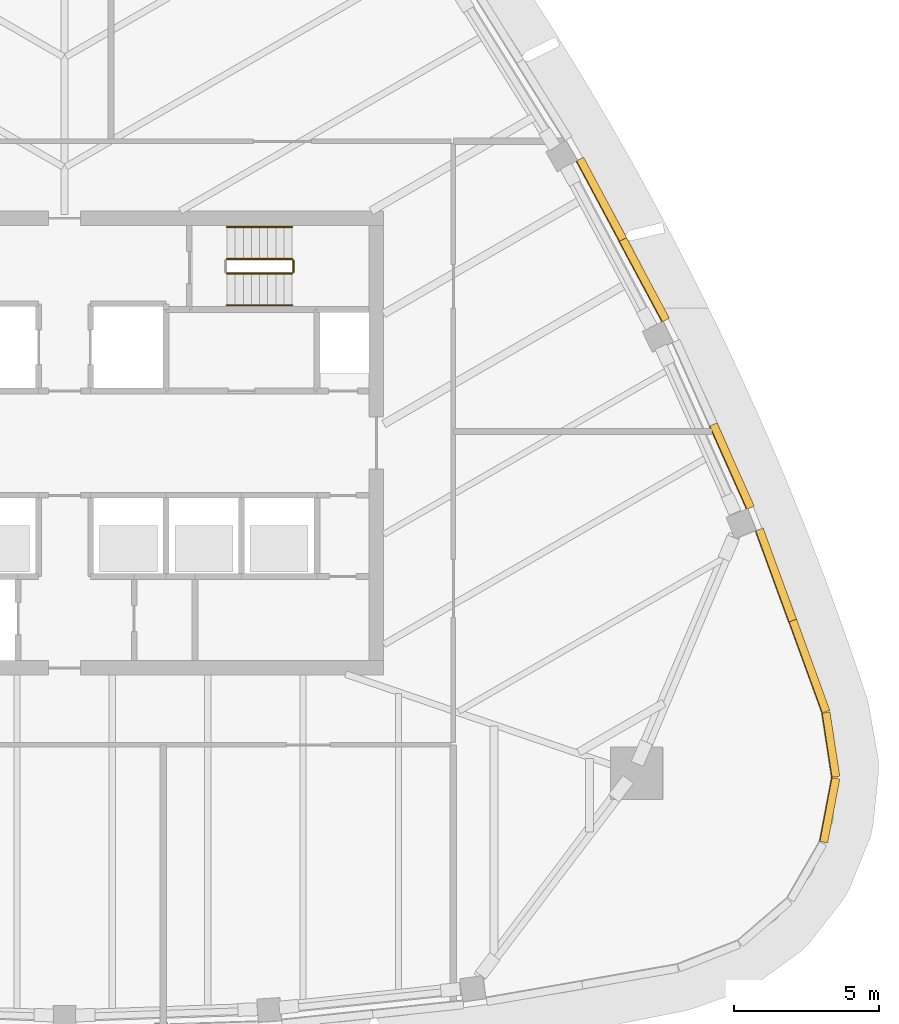
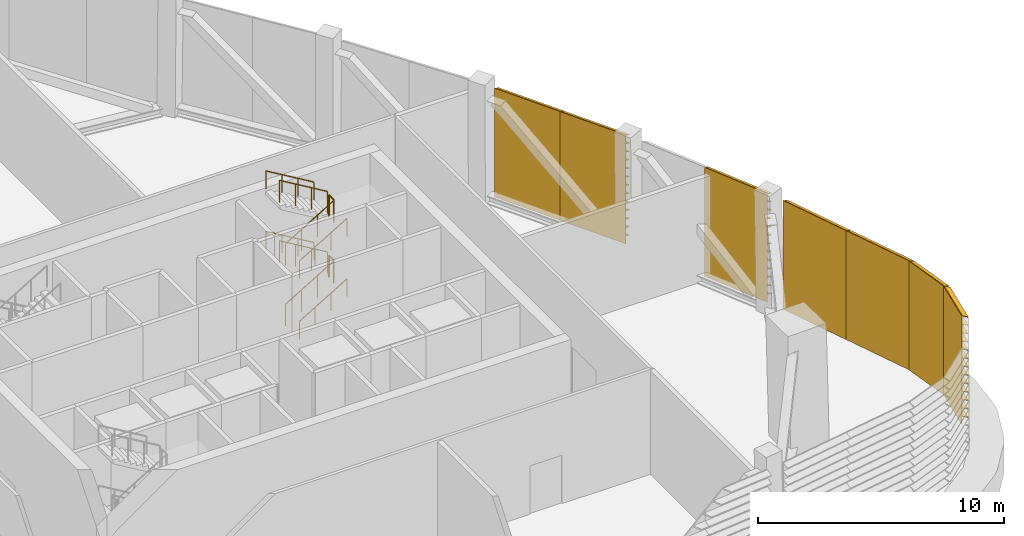
# One storey, part 11 of 15: 10 railings, 7 shading devices.
"""IFC4 building model written with IfcOpenShell, lengths in metres."""

from ifc_helpers import new_model, si_unit, direction, frame, origin, origin_2d, place, context, subcontext, project, spatial, polyline, circle, outline, extrude, material, type_object, element, save


model = new_model("IFC4")

# Units and contexts
model_context = context("Model", 3, precision=1e-05, world=origin(), true_north=direction((0.0, 1.0)))
body_context = subcontext(model_context, "Body", "Model", "MODEL_VIEW")
ifc_project = project(units=[si_unit("LENGTHUNIT", "METRE"), si_unit("AREAUNIT", "SQUARE_METRE"), si_unit("VOLUMEUNIT", "CUBIC_METRE"), si_unit("PLANEANGLEUNIT", "RADIAN"), si_unit("MASSUNIT", "GRAM", prefix="KILO")], contexts=[model_context])

# Site, building, storey
site_placement = place(None, origin())
site = spatial("IfcSite", under=ifc_project, at=site_placement, CompositionType="ELEMENT")
building_placement = place(site_placement, origin())
building = spatial("IfcBuilding", under=site, at=building_placement, Name="Sierra Prisma Convention Tower", CompositionType="ELEMENT")
storey_placement = place(building_placement, frame((0.0, 0.0, 324.39990234375)))
storey = spatial("IfcBuildingStorey", under=building, at=storey_placement, Name="L74", CompositionType="ELEMENT", Elevation=324.39990234375)

# Railings
ifc_material_1 = material(Name="Stainless steel", Category="steel")
railing_type_1 = type_object("IfcRailingType", Name="Exit stair handrail", PredefinedType="HANDRAIL", material=ifc_material_1)
railing_1_placement = place(storey_placement, frame((5.60009765625, 4.75, 0.166748046875)))
element("IfcRailing", 1, at=railing_1_placement, inside=storey, type_object=railing_type_1, Name="L74 S4 stair handrail 1", PredefinedType="HANDRAIL", context=body_context, shape_type="SweptSolid", body=[
    extrude(circle(Radius=0.02392578125, at=origin_2d()), frame((0.0, 0.0, 0.8759765625), z_axis=(0.859305625298, 0.0, 0.511462454469), x_axis=(0.0, 1.0, 0.0)), (0.0, 0.0, 1.0), 2.606689453125),
    extrude(circle(Radius=0.02099609375, at=origin_2d()), origin(), (0.0, 0.0, 1.0), 0.851806640625),
    extrude(circle(Radius=0.02099609375, at=origin_2d()), frame((0.74658203125, 0.0, 0.4443359375)), (0.0, 0.0, 1.0), 0.851806640625),
    extrude(circle(Radius=0.02099609375, at=origin_2d()), frame((1.493408203125, 0.0, 0.888916015625)), (0.0, 0.0, 1.0), 0.851806640625),
    extrude(circle(Radius=0.02099609375, at=origin_2d()), frame((2.239990234375, 0.0, 1.333251953125)), (0.0, 0.0, 1.0), 0.851806640625),
])
railing_2_placement = place(storey_placement, frame((7.840087890625, 7.449951171875, 1.666748046875)))
element("IfcRailing", 2, at=railing_2_placement, inside=storey, type_object=railing_type_1, Name="L74 S4 stair handrail 2", PredefinedType="HANDRAIL", context=body_context, shape_type="SweptSolid", body=[
    extrude(circle(Radius=0.02392578125, at=origin_2d()), frame((0.0, 0.0, 0.8759765625), z_axis=(-0.859305625298, 0.0, 0.511462454469), x_axis=(0.0, -1.0, 0.0)), (0.0, 0.0, 1.0), 2.606689453125),
    extrude(circle(Radius=0.02099609375, at=origin_2d()), origin(), (0.0, 0.0, 1.0), 0.851806640625),
    extrude(circle(Radius=0.02099609375, at=origin_2d()), frame((-0.74658203125, 0.0, 0.4443359375)), (0.0, 0.0, 1.0), 0.851806640625),
    extrude(circle(Radius=0.02099609375, at=origin_2d()), frame((-1.493408203125, 0.0, 0.888916015625)), (0.0, 0.0, 1.0), 0.851806640625),
    extrude(circle(Radius=0.02099609375, at=origin_2d()), frame((-2.239990234375, 0.0, 1.333251953125)), (0.0, 0.0, 1.0), 0.851806640625),
])
railing_3_placement = place(storey_placement, frame((5.60009765625, 4.75, 3.166748046875)))
element("IfcRailing", 3, at=railing_3_placement, inside=storey, type_object=railing_type_1, Name="L74 S4 stair handrail 3", PredefinedType="HANDRAIL", context=body_context, shape_type="SweptSolid", body=[
    extrude(circle(Radius=0.02392578125, at=origin_2d()), frame((0.0, 0.0, 0.8759765625), z_axis=(0.859305625298, 0.0, 0.511462454469), x_axis=(0.0, 1.0, 0.0)), (0.0, 0.0, 1.0), 2.606689453125),
    extrude(circle(Radius=0.02099609375, at=origin_2d()), origin(), (0.0, 0.0, 1.0), 0.851806640625),
    extrude(circle(Radius=0.02099609375, at=origin_2d()), frame((0.74658203125, 0.0, 0.4443359375)), (0.0, 0.0, 1.0), 0.851806640625),
    extrude(circle(Radius=0.02099609375, at=origin_2d()), frame((1.493408203125, 0.0, 0.888916015625)), (0.0, 0.0, 1.0), 0.851806640625),
    extrude(circle(Radius=0.02099609375, at=origin_2d()), frame((2.239990234375, 0.0, 1.333251953125)), (0.0, 0.0, 1.0), 0.851806640625),
])
railing_4_placement = place(storey_placement, frame((7.840087890625, 7.449951171875, 4.666748046875)))
element("IfcRailing", 4, at=railing_4_placement, inside=storey, type_object=railing_type_1, Name="L74 S4 stair handrail 4", PredefinedType="HANDRAIL", context=body_context, shape_type="SweptSolid", body=[
    extrude(circle(Radius=0.02392578125, at=origin_2d()), frame((0.0, 0.0, 0.8759765625), z_axis=(-0.859305625298, 0.0, 0.511462454469), x_axis=(0.0, -1.0, 0.0)), (0.0, 0.0, 1.0), 2.606689453125),
    extrude(circle(Radius=0.02099609375, at=origin_2d()), origin(), (0.0, 0.0, 1.0), 0.851806640625),
    extrude(circle(Radius=0.02099609375, at=origin_2d()), frame((-0.74658203125, 0.0, 0.4443359375)), (0.0, 0.0, 1.0), 0.851806640625),
    extrude(circle(Radius=0.02099609375, at=origin_2d()), frame((-1.493408203125, 0.0, 0.888916015625)), (0.0, 0.0, 1.0), 0.851806640625),
    extrude(circle(Radius=0.02099609375, at=origin_2d()), frame((-2.239990234375, 0.0, 1.333251953125)), (0.0, 0.0, 1.0), 0.851806640625),
])

# Shading devices
ifc_material_2 = material(Name="Aluminium 6063-T6 bronze anodised", Category="aluminium")
shading_device_type = type_object("IfcShadingDeviceType", Name="Louvre bay bronze", PredefinedType="USERDEFINED", material=ifc_material_2)
shading_device_1_placement = place(storey_placement, frame((26.009033203125, -13.724609375, 0.0), z_axis=(-0.186591439925, -0.982437598296, 0.0), x_axis=(0.0, 0.0, 1.0)))
element("IfcShadingDevice", 5, at=shading_device_1_placement, inside=storey, type_object=shading_device_type, Name="Louvre L74 SE4.1", ObjectType="LOUVRE", PredefinedType="USERDEFINED", context=body_context, shape_type="SweptSolid", body=[
    extrude(outline(polyline([(0.0, 0.0), (5.400146484375, 0.0), (5.400146484375, -0.030069959109413794), (5.380126953125, -0.030069959109413794), (5.260009765625, -0.29993447775556004), (5.22998046875, -0.29993447775556004), (5.35009765625, -0.030069959109413794), (4.984619140625, -0.030069959109413794), (4.964599609375, -0.030069959109413794), (4.8447265625, -0.29993447775556004), (4.814697265625, -0.29993447775556004), (4.934814453125, -0.030069959109413794), (4.5693359375, -0.030069959109413794), (4.54931640625, -0.030069959109413794), (4.429443359375, -0.29993447775556004), (4.3994140625, -0.29993447775556004), (4.519287109375, -0.030069959109413794), (4.154052734375, -0.030069959109413794), (4.134033203125, -0.030069959109413794), (4.013916015625, -0.29993447775556004), (3.98388671875, -0.29993447775556004), (4.10400390625, -0.030069959109413794), (3.738525390625, -0.030069959109413794), (3.718505859375, -0.030069959109413794), (3.5986328125, -0.29993447775556004), (3.568603515625, -0.29993447775556004), (3.6884765625, -0.030069959109413794), (3.3232421875, -0.030069959109413794), (3.30322265625, -0.030069959109413794), (3.18310546875, -0.29993447775556004), (3.153076171875, -0.29993447775556004), (3.273193359375, -0.030069959109413794), (2.90771484375, -0.030069959109413794), (2.8876953125, -0.030069959109413794), (2.767822265625, -0.29993447775556004), (2.73779296875, -0.29993447775556004), (2.85791015625, -0.030069959109413794), (2.492431640625, -0.030069959109413794), (2.472412109375, -0.030069959109413794), (2.352294921875, -0.29993447775556004), (2.322509765625, -0.29993447775556004), (2.4423828125, -0.030069959109413794), (2.076904296875, -0.030069959109413794), (2.05712890625, -0.030069959109413794), (1.93701171875, -0.29993447775556004), (1.906982421875, -0.29993447775556004), (2.027099609375, -0.030069959109413794), (1.66162109375, -0.030069959109413794), (1.6416015625, -0.030069959109413794), (1.521728515625, -0.29993447775556004), (1.49169921875, -0.29993447775556004), (1.611572265625, -0.030069959109413794), (1.246337890625, -0.030069959109413794), (1.226318359375, -0.030069959109413794), (1.106201171875, -0.29993447775556004), (1.076171875, -0.29993447775556004), (1.1962890625, -0.030069959109413794), (0.830810546875, -0.030069959109413794), (0.810791015625, -0.030069959109413794), (0.69091796875, -0.29993447775556004), (0.660888671875, -0.29993447775556004), (0.78076171875, -0.030069959109413794), (0.41552734375, -0.030069959109413794), (0.3955078125, -0.030069959109413794), (0.275390625, -0.29993447775556004), (0.245361328125, -0.29993447775556004), (0.365478515625, -0.030069959109413794), (0.0, -0.030069959109413794), (0.0, 0.0)])), origin(), (0.0, 0.0, -1.0), 2.237548828125),
])
shading_device_2_placement = place(storey_placement, frame((26.426513671875, -11.5263671875, 0.0), z_axis=(0.151324229788, -0.988484181704, 0.0), x_axis=(0.0, 0.0, 1.0)))
element("IfcShadingDevice", 6, at=shading_device_2_placement, inside=storey, type_object=shading_device_type, Name="Louvre L74 SE5.1", ObjectType="LOUVRE", PredefinedType="USERDEFINED", context=body_context, shape_type="SweptSolid", body=[
    extrude(outline(polyline([(0.0, 0.0), (5.400146484375, 0.0), (5.400146484375, -0.030144099251431297), (5.380126953125, -0.030144099251431297), (5.260009765625, -0.30018012079431294), (5.22998046875, -0.30018012079431294), (5.35009765625, -0.030144099251431297), (4.984619140625, -0.030144099251431297), (4.964599609375, -0.030144099251431297), (4.8447265625, -0.30018012079431294), (4.814697265625, -0.30018012079431294), (4.934814453125, -0.030144099251431297), (4.5693359375, -0.030144099251431297), (4.54931640625, -0.030144099251431297), (4.429443359375, -0.30018012079431294), (4.3994140625, -0.30018012079431294), (4.519287109375, -0.030144099251431297), (4.154052734375, -0.030144099251431297), (4.134033203125, -0.030144099251431297), (4.013916015625, -0.30018012079431294), (3.98388671875, -0.30018012079431294), (4.10400390625, -0.030144099251431297), (3.738525390625, -0.030144099251431297), (3.718505859375, -0.030144099251431297), (3.5986328125, -0.30018012079431294), (3.568603515625, -0.30018012079431294), (3.6884765625, -0.030144099251431297), (3.3232421875, -0.030144099251431297), (3.30322265625, -0.030144099251431297), (3.18310546875, -0.30018012079431294), (3.153076171875, -0.30018012079431294), (3.273193359375, -0.030144099251431297), (2.90771484375, -0.030144099251431297), (2.8876953125, -0.030144099251431297), (2.767822265625, -0.30018012079431294), (2.73779296875, -0.30018012079431294), (2.85791015625, -0.030144099251431297), (2.492431640625, -0.030144099251431297), (2.472412109375, -0.030144099251431297), (2.352294921875, -0.30018012079431294), (2.322509765625, -0.30018012079431294), (2.4423828125, -0.030144099251431297), (2.076904296875, -0.030144099251431297), (2.05712890625, -0.030144099251431297), (1.93701171875, -0.30018012079431294), (1.906982421875, -0.30018012079431294), (2.027099609375, -0.030144099251431297), (1.66162109375, -0.030144099251431297), (1.6416015625, -0.030144099251431297), (1.521728515625, -0.30018012079431294), (1.49169921875, -0.30018012079431294), (1.611572265625, -0.030144099251431297), (1.246337890625, -0.030144099251431297), (1.226318359375, -0.030144099251431297), (1.106201171875, -0.30018012079431294), (1.076171875, -0.30018012079431294), (1.1962890625, -0.030144099251431297), (0.830810546875, -0.030144099251431297), (0.810791015625, -0.030144099251431297), (0.69091796875, -0.30018012079431294), (0.660888671875, -0.30018012079431294), (0.78076171875, -0.030144099251431297), (0.41552734375, -0.030144099251431297), (0.3955078125, -0.030144099251431297), (0.275390625, -0.30018012079431294), (0.245361328125, -0.30018012079431294), (0.365478515625, -0.030144099251431297), (0.0, -0.030144099251431297), (0.0, 0.0)])), origin(), (0.0, 0.0, -1.0), 2.237548828125),
])
shading_device_3_placement = place(storey_placement, frame((26.09619140625, -9.313232421875, 0.0), z_axis=(0.34175185215, -0.939790227419, 0.0), x_axis=(0.0, 0.0, 1.0)))
element("IfcShadingDevice", 7, at=shading_device_3_placement, inside=storey, type_object=shading_device_type, Name="Louvre L74 NE1.1", ObjectType="LOUVRE", PredefinedType="USERDEFINED", context=body_context, shape_type="SweptSolid", body=[
    extrude(outline(polyline([(0.0, 0.0), (5.400146484375, 0.0), (5.400146484375, -0.030119444377658944), (5.380126953125, -0.030119444377658944), (5.260009765625, -0.299984668957201), (5.22998046875, -0.299984668957201), (5.35009765625, -0.030119444377658944), (4.984619140625, -0.030119444377658944), (4.964599609375, -0.030119444377658944), (4.8447265625, -0.299984668957201), (4.814697265625, -0.299984668957201), (4.934814453125, -0.030119444377658944), (4.5693359375, -0.030119444377658944), (4.54931640625, -0.030119444377658944), (4.429443359375, -0.299984668957201), (4.3994140625, -0.299984668957201), (4.519287109375, -0.030119444377658944), (4.154052734375, -0.030119444377658944), (4.134033203125, -0.030119444377658944), (4.013916015625, -0.299984668957201), (3.98388671875, -0.299984668957201), (4.10400390625, -0.030119444377658944), (3.738525390625, -0.030119444377658944), (3.718505859375, -0.030119444377658944), (3.5986328125, -0.299984668957201), (3.568603515625, -0.299984668957201), (3.6884765625, -0.030119444377658944), (3.3232421875, -0.030119444377658944), (3.30322265625, -0.030119444377658944), (3.18310546875, -0.299984668957201), (3.153076171875, -0.299984668957201), (3.273193359375, -0.030119444377658944), (2.90771484375, -0.030119444377658944), (2.8876953125, -0.030119444377658944), (2.767822265625, -0.299984668957201), (2.73779296875, -0.299984668957201), (2.85791015625, -0.030119444377658944), (2.492431640625, -0.030119444377658944), (2.472412109375, -0.030119444377658944), (2.352294921875, -0.299984668957201), (2.322509765625, -0.299984668957201), (2.4423828125, -0.030119444377658944), (2.076904296875, -0.030119444377658944), (2.05712890625, -0.030119444377658944), (1.93701171875, -0.299984668957201), (1.906982421875, -0.299984668957201), (2.027099609375, -0.030119444377658944), (1.66162109375, -0.030119444377658944), (1.6416015625, -0.030119444377658944), (1.521728515625, -0.299984668957201), (1.49169921875, -0.299984668957201), (1.611572265625, -0.030119444377658944), (1.246337890625, -0.030119444377658944), (1.226318359375, -0.030119444377658944), (1.106201171875, -0.299984668957201), (1.076171875, -0.299984668957201), (1.1962890625, -0.030119444377658944), (0.830810546875, -0.030119444377658944), (0.810791015625, -0.030119444377658944), (0.69091796875, -0.299984668957201), (0.660888671875, -0.299984668957201), (0.78076171875, -0.030119444377658944), (0.41552734375, -0.030119444377658944), (0.3955078125, -0.030119444377658944), (0.275390625, -0.299984668957201), (0.245361328125, -0.299984668957201), (0.365478515625, -0.030119444377658944), (0.0, -0.030119444377658944), (0.0, 0.0)])), origin(), (0.0, 0.0, -1.0), 3.343505859375),
])
shading_device_4_placement = place(storey_placement, frame((24.947509765625, -6.173095703125, 0.0), z_axis=(0.343224165368, -0.939253518656, 0.0), x_axis=(0.0, 0.0, 1.0)))
element("IfcShadingDevice", 8, at=shading_device_4_placement, inside=storey, type_object=shading_device_type, Name="Louvre L74 NE1.2", ObjectType="LOUVRE", PredefinedType="USERDEFINED", context=body_context, shape_type="SweptSolid", body=[
    extrude(outline(polyline([(0.0, 0.0), (5.400146484375, 0.0), (5.400146484375, -0.0298900316383988), (5.380126953125, -0.0298900316383988), (5.260009765625, -0.29998514607279647), (5.22998046875, -0.29998514607279647), (5.35009765625, -0.0298900316383988), (4.984619140625, -0.0298900316383988), (4.964599609375, -0.0298900316383988), (4.8447265625, -0.29998514607279647), (4.814697265625, -0.29998514607279647), (4.934814453125, -0.0298900316383988), (4.5693359375, -0.0298900316383988), (4.54931640625, -0.0298900316383988), (4.429443359375, -0.29998514607279647), (4.3994140625, -0.29998514607279647), (4.519287109375, -0.0298900316383988), (4.154052734375, -0.0298900316383988), (4.134033203125, -0.0298900316383988), (4.013916015625, -0.29998514607279647), (3.98388671875, -0.29998514607279647), (4.10400390625, -0.0298900316383988), (3.738525390625, -0.0298900316383988), (3.718505859375, -0.0298900316383988), (3.5986328125, -0.29998514607279647), (3.568603515625, -0.29998514607279647), (3.6884765625, -0.0298900316383988), (3.3232421875, -0.0298900316383988), (3.30322265625, -0.0298900316383988), (3.18310546875, -0.29998514607279647), (3.153076171875, -0.29998514607279647), (3.273193359375, -0.0298900316383988), (2.90771484375, -0.0298900316383988), (2.8876953125, -0.0298900316383988), (2.767822265625, -0.29998514607279647), (2.73779296875, -0.29998514607279647), (2.85791015625, -0.0298900316383988), (2.492431640625, -0.0298900316383988), (2.472412109375, -0.0298900316383988), (2.352294921875, -0.29998514607279647), (2.322509765625, -0.29998514607279647), (2.4423828125, -0.0298900316383988), (2.076904296875, -0.0298900316383988), (2.05712890625, -0.0298900316383988), (1.93701171875, -0.29998514607279647), (1.906982421875, -0.29998514607279647), (2.027099609375, -0.0298900316383988), (1.66162109375, -0.0298900316383988), (1.6416015625, -0.0298900316383988), (1.521728515625, -0.29998514607279647), (1.49169921875, -0.29998514607279647), (1.611572265625, -0.0298900316383988), (1.246337890625, -0.0298900316383988), (1.226318359375, -0.0298900316383988), (1.106201171875, -0.29998514607279647), (1.076171875, -0.29998514607279647), (1.1962890625, -0.0298900316383988), (0.830810546875, -0.0298900316383988), (0.810791015625, -0.0298900316383988), (0.69091796875, -0.29998514607279647), (0.660888671875, -0.29998514607279647), (0.78076171875, -0.0298900316383988), (0.41552734375, -0.0298900316383988), (0.3955078125, -0.0298900316383988), (0.275390625, -0.29998514607279647), (0.245361328125, -0.29998514607279647), (0.365478515625, -0.0298900316383988), (0.0, -0.0298900316383988), (0.0, 0.0)])), origin(), (0.0, 0.0, -1.0), 3.343505859375),
])
shading_device_5_placement = place(storey_placement, frame((23.498291015625, -2.292236328125, 0.0), z_axis=(0.40768269661, -0.913123660237, 0.0), x_axis=(0.0, 0.0, 1.0)))
element("IfcShadingDevice", 9, at=shading_device_5_placement, inside=storey, type_object=shading_device_type, Name="Louvre L74 NE2.1", ObjectType="LOUVRE", PredefinedType="USERDEFINED", context=body_context, shape_type="SweptSolid", body=[
    extrude(outline(polyline([(0.0, 0.0), (5.400146484375, 0.0), (5.400146484375, -0.029944820502210735), (5.380126953125, -0.029944820502210735), (5.260009765625, -0.29999359809268455), (5.22998046875, -0.29999359809268455), (5.35009765625, -0.029944820502210735), (4.984619140625, -0.029944820502210735), (4.964599609375, -0.029944820502210735), (4.8447265625, -0.29999359809268455), (4.814697265625, -0.29999359809268455), (4.934814453125, -0.029944820502210735), (4.5693359375, -0.029944820502210735), (4.54931640625, -0.029944820502210735), (4.429443359375, -0.29999359809268455), (4.3994140625, -0.29999359809268455), (4.519287109375, -0.029944820502210735), (4.154052734375, -0.029944820502210735), (4.134033203125, -0.029944820502210735), (4.013916015625, -0.29999359809268455), (3.98388671875, -0.29999359809268455), (4.10400390625, -0.029944820502210735), (3.738525390625, -0.029944820502210735), (3.718505859375, -0.029944820502210735), (3.5986328125, -0.29999359809268455), (3.568603515625, -0.29999359809268455), (3.6884765625, -0.029944820502210735), (3.3232421875, -0.029944820502210735), (3.30322265625, -0.029944820502210735), (3.18310546875, -0.29999359809268455), (3.153076171875, -0.29999359809268455), (3.273193359375, -0.029944820502210735), (2.90771484375, -0.029944820502210735), (2.8876953125, -0.029944820502210735), (2.767822265625, -0.29999359809268455), (2.73779296875, -0.29999359809268455), (2.85791015625, -0.029944820502210735), (2.492431640625, -0.029944820502210735), (2.472412109375, -0.029944820502210735), (2.352294921875, -0.29999359809268455), (2.322509765625, -0.29999359809268455), (2.4423828125, -0.029944820502210735), (2.076904296875, -0.029944820502210735), (2.05712890625, -0.029944820502210735), (1.93701171875, -0.29999359809268455), (1.906982421875, -0.29999359809268455), (2.027099609375, -0.029944820502210735), (1.66162109375, -0.029944820502210735), (1.6416015625, -0.029944820502210735), (1.521728515625, -0.29999359809268455), (1.49169921875, -0.29999359809268455), (1.611572265625, -0.029944820502210735), (1.246337890625, -0.029944820502210735), (1.226318359375, -0.029944820502210735), (1.106201171875, -0.29999359809268455), (1.076171875, -0.29999359809268455), (1.1962890625, -0.029944820502210735), (0.830810546875, -0.029944820502210735), (0.810791015625, -0.029944820502210735), (0.69091796875, -0.29999359809268455), (0.660888671875, -0.29999359809268455), (0.78076171875, -0.029944820502210735), (0.41552734375, -0.029944820502210735), (0.3955078125, -0.029944820502210735), (0.275390625, -0.29999359809268455), (0.245361328125, -0.29999359809268455), (0.365478515625, -0.029944820502210735), (0.0, -0.029944820502210735), (0.0, 0.0)])), origin(), (0.0, 0.0, -1.0), 3.1435546875),
])
shading_device_6_placement = place(storey_placement, frame((20.58447265625, 4.167236328125, 0.0), z_axis=(0.471700379334, -0.881758896828, 0.0), x_axis=(0.0, 0.0, 1.0)))
element("IfcShadingDevice", 10, at=shading_device_6_placement, inside=storey, type_object=shading_device_type, Name="Louvre L74 NE3.1", ObjectType="LOUVRE", PredefinedType="USERDEFINED", context=body_context, shape_type="SweptSolid", body=[
    extrude(outline(polyline([(0.0, 0.0), (5.400146484375, 0.0), (5.400146484375, -0.029928853237023156), (5.380126953125, -0.029928853237023156), (5.260009765625, -0.2998041413666452), (5.22998046875, -0.2998041413666452), (5.35009765625, -0.029928853237023156), (4.984619140625, -0.029928853237023156), (4.964599609375, -0.029928853237023156), (4.8447265625, -0.2998041413666452), (4.814697265625, -0.2998041413666452), (4.934814453125, -0.029928853237023156), (4.5693359375, -0.029928853237023156), (4.54931640625, -0.029928853237023156), (4.429443359375, -0.2998041413666452), (4.3994140625, -0.2998041413666452), (4.519287109375, -0.029928853237023156), (4.154052734375, -0.029928853237023156), (4.134033203125, -0.029928853237023156), (4.013916015625, -0.2998041413666452), (3.98388671875, -0.2998041413666452), (4.10400390625, -0.029928853237023156), (3.738525390625, -0.029928853237023156), (3.718505859375, -0.029928853237023156), (3.5986328125, -0.2998041413666452), (3.568603515625, -0.2998041413666452), (3.6884765625, -0.029928853237023156), (3.3232421875, -0.029928853237023156), (3.30322265625, -0.029928853237023156), (3.18310546875, -0.2998041413666452), (3.153076171875, -0.2998041413666452), (3.273193359375, -0.029928853237023156), (2.90771484375, -0.029928853237023156), (2.8876953125, -0.029928853237023156), (2.767822265625, -0.2998041413666452), (2.73779296875, -0.2998041413666452), (2.85791015625, -0.029928853237023156), (2.492431640625, -0.029928853237023156), (2.472412109375, -0.029928853237023156), (2.352294921875, -0.2998041413666452), (2.322509765625, -0.2998041413666452), (2.4423828125, -0.029928853237023156), (2.076904296875, -0.029928853237023156), (2.05712890625, -0.029928853237023156), (1.93701171875, -0.2998041413666452), (1.906982421875, -0.2998041413666452), (2.027099609375, -0.029928853237023156), (1.66162109375, -0.029928853237023156), (1.6416015625, -0.029928853237023156), (1.521728515625, -0.2998041413666452), (1.49169921875, -0.2998041413666452), (1.611572265625, -0.029928853237023156), (1.246337890625, -0.029928853237023156), (1.226318359375, -0.029928853237023156), (1.106201171875, -0.2998041413666452), (1.076171875, -0.2998041413666452), (1.1962890625, -0.029928853237023156), (0.830810546875, -0.029928853237023156), (0.810791015625, -0.029928853237023156), (0.69091796875, -0.2998041413666452), (0.660888671875, -0.2998041413666452), (0.78076171875, -0.029928853237023156), (0.41552734375, -0.029928853237023156), (0.3955078125, -0.029928853237023156), (0.275390625, -0.2998041413666452), (0.245361328125, -0.2998041413666452), (0.365478515625, -0.029928853237023156), (0.0, -0.029928853237023156), (0.0, 0.0)])), origin(), (0.0, 0.0, -1.0), 3.1435546875),
])
shading_device_7_placement = place(storey_placement, frame((19.107666015625, 6.9423828125, 0.0), z_axis=(0.471552021236, -0.881838245524, 0.0), x_axis=(0.0, 0.0, 1.0)))
element("IfcShadingDevice", 11, at=shading_device_7_placement, inside=storey, type_object=shading_device_type, Name="Louvre L74 NE3.2", ObjectType="LOUVRE", PredefinedType="USERDEFINED", context=body_context, shape_type="SweptSolid", body=[
    extrude(outline(polyline([(0.0, 0.0), (5.400146484375, 0.0), (5.400146484375, -0.0299288446650984), (5.380126953125, -0.0299288446650984), (5.260009765625, -0.30001953433748546), (5.22998046875, -0.30001953433748546), (5.35009765625, -0.0299288446650984), (4.984619140625, -0.0299288446650984), (4.964599609375, -0.0299288446650984), (4.8447265625, -0.30001953433748546), (4.814697265625, -0.30001953433748546), (4.934814453125, -0.0299288446650984), (4.5693359375, -0.0299288446650984), (4.54931640625, -0.0299288446650984), (4.429443359375, -0.30001953433748546), (4.3994140625, -0.30001953433748546), (4.519287109375, -0.0299288446650984), (4.154052734375, -0.0299288446650984), (4.134033203125, -0.0299288446650984), (4.013916015625, -0.30001953433748546), (3.98388671875, -0.30001953433748546), (4.10400390625, -0.0299288446650984), (3.738525390625, -0.0299288446650984), (3.718505859375, -0.0299288446650984), (3.5986328125, -0.30001953433748546), (3.568603515625, -0.30001953433748546), (3.6884765625, -0.0299288446650984), (3.3232421875, -0.0299288446650984), (3.30322265625, -0.0299288446650984), (3.18310546875, -0.30001953433748546), (3.153076171875, -0.30001953433748546), (3.273193359375, -0.0299288446650984), (2.90771484375, -0.0299288446650984), (2.8876953125, -0.0299288446650984), (2.767822265625, -0.30001953433748546), (2.73779296875, -0.30001953433748546), (2.85791015625, -0.0299288446650984), (2.492431640625, -0.0299288446650984), (2.472412109375, -0.0299288446650984), (2.352294921875, -0.30001953433748546), (2.322509765625, -0.30001953433748546), (2.4423828125, -0.0299288446650984), (2.076904296875, -0.0299288446650984), (2.05712890625, -0.0299288446650984), (1.93701171875, -0.30001953433748546), (1.906982421875, -0.30001953433748546), (2.027099609375, -0.0299288446650984), (1.66162109375, -0.0299288446650984), (1.6416015625, -0.0299288446650984), (1.521728515625, -0.30001953433748546), (1.49169921875, -0.30001953433748546), (1.611572265625, -0.0299288446650984), (1.246337890625, -0.0299288446650984), (1.226318359375, -0.0299288446650984), (1.106201171875, -0.30001953433748546), (1.076171875, -0.30001953433748546), (1.1962890625, -0.0299288446650984), (0.830810546875, -0.0299288446650984), (0.810791015625, -0.0299288446650984), (0.69091796875, -0.30001953433748546), (0.660888671875, -0.30001953433748546), (0.78076171875, -0.0299288446650984), (0.41552734375, -0.0299288446650984), (0.3955078125, -0.0299288446650984), (0.275390625, -0.30001953433748546), (0.245361328125, -0.30001953433748546), (0.365478515625, -0.0299288446650984), (0.0, -0.0299288446650984), (0.0, 0.0)])), origin(), (0.0, 0.0, -1.0), 3.1435546875),
])

# Railings
ifc_material_3 = material(Name="Stainless steel", Category="steel")
railing_type_2 = type_object("IfcRailingType", Name="Stair guard 1100", PredefinedType="GUARDRAIL", material=ifc_material_3)
railing_5_placement = place(storey_placement, frame((5.60009765625, 5.85009765625, 0.166748046875)))
element("IfcRailing", 12, at=railing_5_placement, inside=storey, type_object=railing_type_2, Name="L74 S4 stair guard 1", PredefinedType="GUARDRAIL", context=body_context, shape_type="SweptSolid", body=[
    extrude(circle(Radius=0.02392578125, at=origin_2d()), frame((0.0, 0.0, 1.076171875), z_axis=(0.859305625298, 0.0, 0.511462454469), x_axis=(0.0, 1.0, 0.0)), (0.0, 0.0, 1.0), 2.606689453125),
    extrude(circle(Radius=0.02099609375, at=origin_2d()), origin(), (0.0, 0.0, 1.0), 1.052001953125),
    extrude(circle(Radius=0.02099609375, at=origin_2d()), frame((0.74658203125, 0.0, 0.4443359375)), (0.0, 0.0, 1.0), 1.052001953125),
    extrude(circle(Radius=0.02099609375, at=origin_2d()), frame((1.493408203125, 0.0, 0.888916015625)), (0.0, 0.0, 1.0), 1.052001953125),
    extrude(circle(Radius=0.02099609375, at=origin_2d()), frame((2.239990234375, 0.0, 1.333251953125)), (0.0, 0.0, 1.0), 1.052001953125),
])
railing_6_placement = place(storey_placement, frame((7.889892578125, 5.89990234375, 1.5)))
element("IfcRailing", 13, at=railing_6_placement, inside=storey, type_object=railing_type_2, Name="L74 S4 stair guard 2", PredefinedType="GUARDRAIL", context=body_context, shape_type="SweptSolid", body=[
    extrude(circle(Radius=0.02392578125, at=origin_2d()), frame((0.0, 0.0, 1.076171875), z_axis=(0.0, 1.0, 0.0), x_axis=(-1.0, 0.0, 0.0)), (0.0, 0.0, 1.0), 0.400146484375),
    extrude(circle(Radius=0.02099609375, at=origin_2d()), origin(), (0.0, 0.0, 1.0), 1.052001953125),
    extrude(circle(Radius=0.02099609375, at=origin_2d()), frame((0.0, 0.400146484375, 0.0)), (0.0, 0.0, 1.0), 1.052001953125),
])
railing_7_placement = place(storey_placement, frame((7.840087890625, 6.35009765625, 1.666748046875)))
element("IfcRailing", 14, at=railing_7_placement, inside=storey, type_object=railing_type_2, Name="L74 S4 stair guard 3", PredefinedType="GUARDRAIL", context=body_context, shape_type="SweptSolid", body=[
    extrude(circle(Radius=0.02392578125, at=origin_2d()), frame((0.0, 0.0, 1.076171875), z_axis=(-0.859305625298, 0.0, 0.511462454469), x_axis=(0.0, -1.0, 0.0)), (0.0, 0.0, 1.0), 2.606689453125),
    extrude(circle(Radius=0.02099609375, at=origin_2d()), origin(), (0.0, 0.0, 1.0), 1.052001953125),
    extrude(circle(Radius=0.02099609375, at=origin_2d()), frame((-0.74658203125, 0.0, 0.4443359375)), (0.0, 0.0, 1.0), 1.052001953125),
    extrude(circle(Radius=0.02099609375, at=origin_2d()), frame((-1.493408203125, 0.0, 0.888916015625)), (0.0, 0.0, 1.0), 1.052001953125),
    extrude(circle(Radius=0.02099609375, at=origin_2d()), frame((-2.239990234375, 0.0, 1.333251953125)), (0.0, 0.0, 1.0), 1.052001953125),
])
railing_8_placement = place(storey_placement, frame((5.60009765625, 5.85009765625, 3.166748046875)))
element("IfcRailing", 15, at=railing_8_placement, inside=storey, type_object=railing_type_2, Name="L74 S4 stair guard 5", PredefinedType="GUARDRAIL", context=body_context, shape_type="SweptSolid", body=[
    extrude(circle(Radius=0.02392578125, at=origin_2d()), frame((0.0, 0.0, 1.076171875), z_axis=(0.859305625298, 0.0, 0.511462454469), x_axis=(0.0, 1.0, 0.0)), (0.0, 0.0, 1.0), 2.606689453125),
    extrude(circle(Radius=0.02099609375, at=origin_2d()), origin(), (0.0, 0.0, 1.0), 1.052001953125),
    extrude(circle(Radius=0.02099609375, at=origin_2d()), frame((0.74658203125, 0.0, 0.4443359375)), (0.0, 0.0, 1.0), 1.052001953125),
    extrude(circle(Radius=0.02099609375, at=origin_2d()), frame((1.493408203125, 0.0, 0.888916015625)), (0.0, 0.0, 1.0), 1.052001953125),
    extrude(circle(Radius=0.02099609375, at=origin_2d()), frame((2.239990234375, 0.0, 1.333251953125)), (0.0, 0.0, 1.0), 1.052001953125),
])
railing_9_placement = place(storey_placement, frame((7.889892578125, 5.89990234375, 4.5)))
element("IfcRailing", 16, at=railing_9_placement, inside=storey, type_object=railing_type_2, Name="L74 S4 stair guard 6", PredefinedType="GUARDRAIL", context=body_context, shape_type="SweptSolid", body=[
    extrude(circle(Radius=0.02392578125, at=origin_2d()), frame((0.0, 0.0, 1.076171875), z_axis=(0.0, 1.0, 0.0), x_axis=(-1.0, 0.0, 0.0)), (0.0, 0.0, 1.0), 0.400146484375),
    extrude(circle(Radius=0.02099609375, at=origin_2d()), origin(), (0.0, 0.0, 1.0), 1.052001953125),
    extrude(circle(Radius=0.02099609375, at=origin_2d()), frame((0.0, 0.400146484375, 0.0)), (0.0, 0.0, 1.0), 1.052001953125),
])
railing_10_placement = place(storey_placement, frame((7.840087890625, 6.35009765625, 4.666748046875)))
element("IfcRailing", 17, at=railing_10_placement, inside=storey, type_object=railing_type_2, Name="L74 S4 stair guard 7", PredefinedType="GUARDRAIL", context=body_context, shape_type="SweptSolid", body=[
    extrude(circle(Radius=0.02392578125, at=origin_2d()), frame((0.0, 0.0, 1.076171875), z_axis=(-0.859305625298, 0.0, 0.511462454469), x_axis=(0.0, -1.0, 0.0)), (0.0, 0.0, 1.0), 2.606689453125),
    extrude(circle(Radius=0.02099609375, at=origin_2d()), origin(), (0.0, 0.0, 1.0), 1.052001953125),
    extrude(circle(Radius=0.02099609375, at=origin_2d()), frame((-0.74658203125, 0.0, 0.4443359375)), (0.0, 0.0, 1.0), 1.052001953125),
    extrude(circle(Radius=0.02099609375, at=origin_2d()), frame((-1.493408203125, 0.0, 0.888916015625)), (0.0, 0.0, 1.0), 1.052001953125),
    extrude(circle(Radius=0.02099609375, at=origin_2d()), frame((-2.239990234375, 0.0, 1.333251953125)), (0.0, 0.0, 1.0), 1.052001953125),
])

save(model, "model.ifc")
